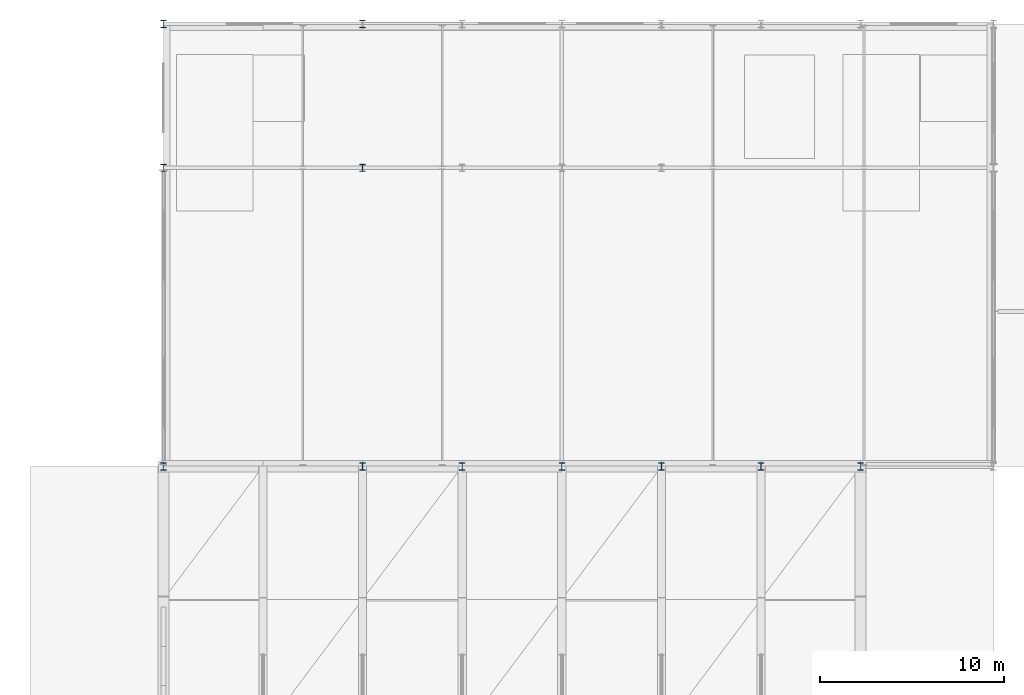
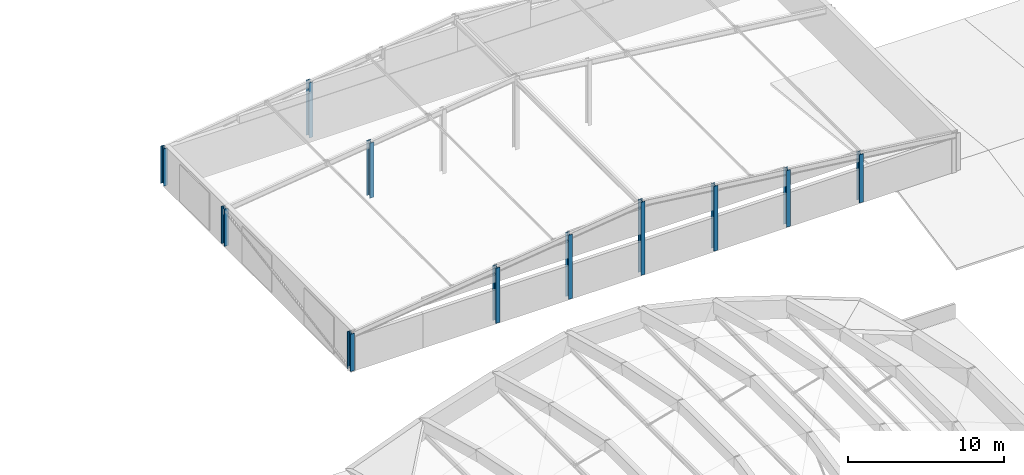
# One storey, part 2 of 27: 11 columns.
"""IFC4 building model written with IfcOpenShell, lengths in metres."""

import ifcopenshell
import ifcopenshell.guid

model = None  # the IFC model being written
_history = None  # IfcOwnerHistory: only IFC2X3 demands one
_inside = {}  # id of a spatial element -> (the spatial element, [elements in it])
_under = {}  # id of a project, library or spatial element -> (it, [spatial elements below it])
_declared = {}  # id of a project -> (the project, [libraries it declares])
_typed = {}  # id of a type object -> (the type object, [elements of that type])
_made_of = {}  # id of a material, layer set ... -> (it, [elements and type objects made of it])


def new_model(schema):
    """Start an empty IFC model of exactly this schema.

    Asked for "IFC4X3", IfcOpenShell would pick the latest addendum, in which some entities
    have other attributes; the version numbers below select the first issue.
    IFC2X3 requires an IfcOwnerHistory on every rooted entity: one is made here for all.
    """
    global model, _history
    if schema == "IFC4X3":
        model = ifcopenshell.file(schema_version=(4, 3, 0, 0))
    else:
        model = ifcopenshell.file(schema=schema)
    _inside.clear()
    _under.clear()
    _declared.clear()
    _typed.clear()
    _made_of.clear()
    _history = None
    if model.schema == "IFC2X3":
        org = make("IfcOrganization", Name="unknown")
        user = make(
            "IfcPersonAndOrganization",
            ThePerson=make("IfcPerson", FamilyName="unknown"),
            TheOrganization=org,
        )
        app = make(
            "IfcApplication",
            ApplicationDeveloper=org,
            Version="unknown",
            ApplicationFullName="unknown",
            ApplicationIdentifier="unknown",
        )
        _history = make(
            "IfcOwnerHistory",
            OwningUser=user,
            OwningApplication=app,
            ChangeAction="ADDED",
            CreationDate=0,
        )
    return model


def make(cls, **values):
    """One entity of the class cls with the attributes given. An attribute that is None is left unset."""
    return model.create_entity(
        cls, **{name: value for name, value in values.items() if value is not None}
    )


def rooted(cls, **values):
    """An entity with a GlobalId (a new one), such as an element, a storey or a relation."""
    return make(cls, GlobalId=ifcopenshell.guid.new(), OwnerHistory=_history, **values)


def si_unit(unit_type, name, prefix=None):
    """IfcSIUnit, for example si_unit("LENGTHUNIT", "METRE", prefix="MILLI")."""
    return make("IfcSIUnit", UnitType=unit_type, Prefix=prefix, Name=name)


def assignment(units):
    """IfcUnitAssignment: the units of a project."""
    return None if units is None else make("IfcUnitAssignment", Units=units)


def point(xyz):
    """IfcCartesianPoint."""
    return None if xyz is None else make("IfcCartesianPoint", Coordinates=xyz)


def direction(xyz):
    """IfcDirection."""
    return None if xyz is None else make("IfcDirection", DirectionRatios=xyz)


def frame(location, z_axis=None, x_axis=None):
    """IfcAxis2Placement3D, a coordinate frame: its origin and axes. An axis left out is left unset."""
    return make(
        "IfcAxis2Placement3D",
        Location=point(location),
        Axis=direction(z_axis),
        RefDirection=direction(x_axis),
    )


def frame_2d(location, x_axis=None):
    """IfcAxis2Placement2D, a coordinate frame in the plane: its origin and x axis."""
    return make(
        "IfcAxis2Placement2D", Location=point(location), RefDirection=direction(x_axis)
    )


def origin():
    """The frame at (0, 0, 0) with its axes left unset."""
    return frame((0.0, 0.0, 0.0))


def origin_2d():
    """The frame at (0, 0) in the plane with its x axis left unset."""
    return frame_2d((0.0, 0.0))


def place(relative_to, where):
    """IfcLocalPlacement: puts the frame where relative to a parent placement (None: the world)."""
    return make(
        "IfcLocalPlacement", PlacementRelTo=relative_to, RelativePlacement=where
    )


def context(
    kind, dimensions, precision=None, world=None, true_north=None, identifier=None
):
    """IfcGeometricRepresentationContext, for example the 3D "Model" context."""
    return make(
        "IfcGeometricRepresentationContext",
        ContextIdentifier=identifier,
        ContextType=kind,
        CoordinateSpaceDimension=dimensions,
        Precision=precision,
        WorldCoordinateSystem=world,
        TrueNorth=true_north,
    )


def subcontext(parent, identifier, kind, view, scale=None):
    """IfcGeometricRepresentationSubContext, for example "Body" below "Model"."""
    return make(
        "IfcGeometricRepresentationSubContext",
        ContextIdentifier=identifier,
        ContextType=kind,
        ParentContext=parent,
        TargetScale=scale,
        TargetView=view,
    )


def project(units=None, contexts=None):
    """IfcProject with its units and contexts."""
    return rooted(
        "IfcProject",
        Name="project",
        RepresentationContexts=contexts,
        UnitsInContext=assignment(units),
    )


def spatial(cls, under=None, at=None, **own):
    """A site, building, storey or space (cls), placed at a placement, below another one or the project."""
    s = rooted(cls, ObjectPlacement=at, **own)
    if under is not None:
        _under.setdefault(under.id(), (under, []))[1].append(s)
    return s


def profile(cls, at=None, kind="AREA", **sizes):
    """A parametric profile (cls). Its sizes go by their IFC names, for example OverallWidth=200.0."""
    return make(cls, ProfileType=kind, Position=at, **sizes)


def i_section(**sizes):
    """IfcIShapeProfileDef."""
    return profile("IfcIShapeProfileDef", **sizes)


def extrude(swept, where, along, depth):
    """IfcExtrudedAreaSolid: the profile swept, set in the frame where, extruded along a direction by depth."""
    return make(
        "IfcExtrudedAreaSolid",
        SweptArea=swept,
        Position=where,
        ExtrudedDirection=direction(along),
        Depth=depth,
    )


def shape(context_of_items, identifier, shape_type, items):
    """IfcShapeRepresentation: the items that make up one representation, for example the "Body"."""
    return make(
        "IfcShapeRepresentation",
        ContextOfItems=context_of_items,
        RepresentationIdentifier=identifier,
        RepresentationType=shape_type,
        Items=items,
    )


def material(Name=None, Category=None):
    """IfcMaterial."""
    return make("IfcMaterial", Name=Name, Category=Category)


def material_profile(
    of_material, cross_section, Name=None, Category=None, Priority=None
):
    """IfcMaterialProfile: a cross section and its material."""
    return make(
        "IfcMaterialProfile",
        Name=Name,
        Material=of_material,
        Profile=cross_section,
        Priority=Priority,
        Category=Category,
    )


def profile_set(profiles, Name=None, composite=None):
    """IfcMaterialProfileSet."""
    return make(
        "IfcMaterialProfileSet",
        Name=Name,
        MaterialProfiles=profiles,
        CompositeProfile=composite,
    )


def made_of(thing, what):
    """Note that an element or type object is made of a material, layer set ...; save() writes the relation."""
    if what is not None:
        _made_of.setdefault(what.id(), (what, []))[1].append(thing)
    return thing


def type_object(cls, material=None, **own):
    """A type object (cls), such as IfcWallType, which elements share."""
    return made_of(rooted(cls, **own), material)


def element(
    cls,
    number,
    at=None,
    inside=None,
    cuts=None,
    type_object=None,
    material=None,
    context=None,
    identifier="Body",
    shape_type=None,
    held_by="IfcProductDefinitionShape",
    body=None,
    shapes=None,
    **own,
):
    """One element of the class cls, such as IfcWall. Its Tag is "e" and its number.

    at: its placement. inside: the storey or other place that contains it. cuts: it is an
    opening in that element (IfcRelVoidsElement). A single representation is given by context,
    identifier, shape_type and body (its items); several are given by shapes. held_by: the class
    of the entity that holds the representations. save() writes the other relations.
    """
    e = rooted(cls, Tag="e%d" % number, ObjectPlacement=at, **own)
    if body is not None:
        shapes = [shape(context, identifier, shape_type, body)]
    if shapes is not None:
        e.Representation = make(held_by, Representations=shapes)
    if inside is not None:
        _inside.setdefault(inside.id(), (inside, []))[1].append(e)
    if cuts is not None:
        rooted(
            "IfcRelVoidsElement", RelatingBuildingElement=cuts, RelatedOpeningElement=e
        )
    if type_object is not None:
        _typed.setdefault(type_object.id(), (type_object, []))[1].append(e)
    return made_of(e, material)


def aggregate(whole, parts):
    """IfcRelAggregates: a whole, such as a stair, and the parts it consists of."""
    return rooted("IfcRelAggregates", RelatingObject=whole, RelatedObjects=parts)


def save(model, path):
    """Write the relations noted so far, then the file.

    IfcRelAggregates (storeys below a building ...), IfcRelContainedInSpatialStructure (elements
    in a storey), IfcRelDefinesByType, IfcRelAssociatesMaterial and IfcRelDeclares: one each for
    every whole, place, type object, material and project.
    """
    for whole, parts in _under.values():
        aggregate(whole, parts)
    for where, things in _inside.values():
        rooted(
            "IfcRelContainedInSpatialStructure",
            RelatedElements=things,
            RelatingStructure=where,
        )
    for kind, things in _typed.values():
        rooted("IfcRelDefinesByType", RelatedObjects=things, RelatingType=kind)
    for what, things in _made_of.values():
        rooted("IfcRelAssociatesMaterial", RelatedObjects=things, RelatingMaterial=what)
    for by, libraries in _declared.values():
        rooted("IfcRelDeclares", RelatingContext=by, RelatedDefinitions=libraries)
    model.write(path)


model = new_model("IFC4")

# Units and contexts
model_context = context("Model", 3, precision=1e-05, world=origin(), true_north=direction((0.0, 1.0)))
body_context = subcontext(model_context, "Body", "Model", "MODEL_VIEW")
ifc_project = project(units=[si_unit("LENGTHUNIT", "METRE"), si_unit("AREAUNIT", "SQUARE_METRE"), si_unit("VOLUMEUNIT", "CUBIC_METRE"), si_unit("PLANEANGLEUNIT", "RADIAN"), si_unit("MASSUNIT", "GRAM", prefix="KILO")], contexts=[model_context])

# Site, building, storey
site_placement = place(None, origin())
site = spatial("IfcSite", under=ifc_project, at=site_placement, CompositionType="ELEMENT")
building_placement = place(site_placement, origin())
building = spatial("IfcBuilding", under=site, at=building_placement, Name="Tazoul Stagehouse", CompositionType="ELEMENT")
storey_placement = place(building_placement, frame((0.0, 0.0, 24.89990234375)))
storey = spatial("IfcBuildingStorey", under=building, at=storey_placement, Name="RF", CompositionType="ELEMENT", Elevation=24.89990234375)

# Columns
ifc_material = material(Name="Steel S355", Category="steel")
ifc_material_profile_1 = material_profile(ifc_material, i_section(OverallWidth=0.300048828125, OverallDepth=0.39990234375, WebThickness=0.013427734375, FlangeThickness=0.02392578125, FilletRadius=0.027099609375, at=origin_2d()), Name="HEB 400")
ifc_profile_set_1 = profile_set([ifc_material_profile_1], Name="Steel S355")
column_type_1 = type_object("IfcColumnType", Name="Steel Column HEB 400", PredefinedType="COLUMN", material=ifc_profile_set_1)
column_1_placement = place(storey_placement, frame((68.39990234375, 104.0, 0.0), z_axis=(0.0, 0.0, 1.0), x_axis=(1.0, 0.0, 0.0)))
element("IfcColumn", 1, at=column_1_placement, inside=storey, type_object=column_type_1, Name="RF Fly-Tower Column SC-04 at 10/Q", PredefinedType="COLUMN", context=body_context, shape_type="SweptSolid", body=[
    extrude(i_section(OverallWidth=0.300048828125, OverallDepth=0.39990234375, WebThickness=0.013427734375, FlangeThickness=0.02392578125, FilletRadius=0.027099609375, at=origin_2d()), origin(), (0.0, 0.0, 1.0), 4.330078125),
])
ifc_material_profile_2 = material_profile(ifc_material, i_section(OverallWidth=0.300048828125, OverallDepth=0.39990234375, WebThickness=0.013427734375, FlangeThickness=0.02392578125, FilletRadius=0.027099609375, at=origin_2d()), Name="HEB 400")
ifc_profile_set_2 = profile_set([ifc_material_profile_2], Name="Steel S355")
column_type_2 = type_object("IfcColumnType", Name="Steel Column HEB 400 (Exterior)", PredefinedType="COLUMN", material=ifc_profile_set_2)
for number, where, z_axis, x_axis, name in (
    (2, (57.60009765625, 87.800048828125, 0.0), (0.0, 0.0, 1.0), (1.0, 0.0, 0.0), "RF Fly-Tower Column SC-04E at 8/N"),
    (3, (57.60009765625, 104.0, 0.0), (0.0, 0.0, 1.0), (1.0, 0.0, 0.0), "RF Fly-Tower Column SC-04E at 8/Q"),
    (4, (57.60009765625, 111.800048828125, 0.0), (0.0, 0.0, 1.0), (1.0, 0.0, 0.0), "RF Fly-Tower Column SC-04E at 8/R"),
):
    element("IfcColumn", number, at=place(storey_placement, frame(where, z_axis=z_axis, x_axis=x_axis)), inside=storey, type_object=column_type_2, Name=name, PredefinedType="COLUMN", context=body_context, shape_type="SweptSolid", body=[
        extrude(i_section(OverallWidth=0.300048828125, OverallDepth=0.39990234375, WebThickness=0.013427734375, FlangeThickness=0.02392578125, FilletRadius=0.027099609375, at=origin_2d()), origin(), (0.0, 0.0, 1.0), 2.93017578125),
    ])
for number, where, z_axis, x_axis, name in (
    (5, (68.39990234375, 87.800048828125, 0.0), (0.0, 0.0, 1.0), (1.0, 0.0, 0.0), "RF Fly-Tower Column SC-04E at 10/N"),
    (6, (68.39990234375, 111.800048828125, 0.0), (0.0, 0.0, 1.0), (1.0, 0.0, 0.0), "RF Fly-Tower Column SC-04E at 10/R"),
):
    element("IfcColumn", number, at=place(storey_placement, frame(where, z_axis=z_axis, x_axis=x_axis)), inside=storey, type_object=column_type_2, Name=name, PredefinedType="COLUMN", context=body_context, shape_type="SweptSolid", body=[
        extrude(i_section(OverallWidth=0.300048828125, OverallDepth=0.39990234375, WebThickness=0.013427734375, FlangeThickness=0.02392578125, FilletRadius=0.027099609375, at=origin_2d()), origin(), (0.0, 0.0, 1.0), 4.330078125),
    ])
column_2_placement = place(storey_placement, frame((73.800048828125, 87.800048828125, 0.0), z_axis=(0.0, 0.0, 1.0), x_axis=(1.0, 0.0, 0.0)))
element("IfcColumn", 7, at=column_2_placement, inside=storey, type_object=column_type_2, Name="RF Fly-Tower Column SC-04E at 11/N", PredefinedType="COLUMN", context=body_context, shape_type="SweptSolid", body=[
    extrude(i_section(OverallWidth=0.300048828125, OverallDepth=0.39990234375, WebThickness=0.013427734375, FlangeThickness=0.02392578125, FilletRadius=0.027099609375, at=origin_2d()), origin(), (0.0, 0.0, 1.0), 5.030029296875),
])
column_3_placement = place(storey_placement, frame((79.199951171875, 87.800048828125, 0.0), z_axis=(0.0, 0.0, 1.0), x_axis=(1.0, 0.0, 0.0)))
element("IfcColumn", 8, at=column_3_placement, inside=storey, type_object=column_type_2, Name="RF Fly-Tower Column SC-04E at 12/N", PredefinedType="COLUMN", context=body_context, shape_type="SweptSolid", body=[
    extrude(i_section(OverallWidth=0.300048828125, OverallDepth=0.39990234375, WebThickness=0.013427734375, FlangeThickness=0.02392578125, FilletRadius=0.027099609375, at=origin_2d()), origin(), (0.0, 0.0, 1.0), 5.72998046875),
])
column_4_placement = place(storey_placement, frame((84.60009765625, 87.800048828125, 0.0), z_axis=(0.0, 0.0, 1.0), x_axis=(1.0, 0.0, 0.0)))
element("IfcColumn", 9, at=column_4_placement, inside=storey, type_object=column_type_2, Name="RF Fly-Tower Column SC-04E at 13/N", PredefinedType="COLUMN", context=body_context, shape_type="SweptSolid", body=[
    extrude(i_section(OverallWidth=0.300048828125, OverallDepth=0.39990234375, WebThickness=0.013427734375, FlangeThickness=0.02392578125, FilletRadius=0.027099609375, at=origin_2d()), origin(), (0.0, 0.0, 1.0), 5.083984375),
])
column_5_placement = place(storey_placement, frame((90.0, 87.800048828125, 0.0), z_axis=(0.0, 0.0, 1.0), x_axis=(1.0, 0.0, 0.0)))
element("IfcColumn", 10, at=column_5_placement, inside=storey, type_object=column_type_2, Name="RF Fly-Tower Column SC-04E at 14/N", PredefinedType="COLUMN", context=body_context, shape_type="SweptSolid", body=[
    extrude(i_section(OverallWidth=0.300048828125, OverallDepth=0.39990234375, WebThickness=0.013427734375, FlangeThickness=0.02392578125, FilletRadius=0.027099609375, at=origin_2d()), origin(), (0.0, 0.0, 1.0), 4.437744140625),
])
column_6_placement = place(storey_placement, frame((95.39990234375, 87.800048828125, 0.0), z_axis=(0.0, 0.0, 1.0), x_axis=(1.0, 0.0, 0.0)))
element("IfcColumn", 11, at=column_6_placement, inside=storey, type_object=column_type_2, Name="RF Fly-Tower Column SC-04E at 15/N", PredefinedType="COLUMN", context=body_context, shape_type="SweptSolid", body=[
    extrude(i_section(OverallWidth=0.300048828125, OverallDepth=0.39990234375, WebThickness=0.013427734375, FlangeThickness=0.02392578125, FilletRadius=0.027099609375, at=origin_2d()), origin(), (0.0, 0.0, 1.0), 3.79150390625),
])

save(model, "model.ifc")
